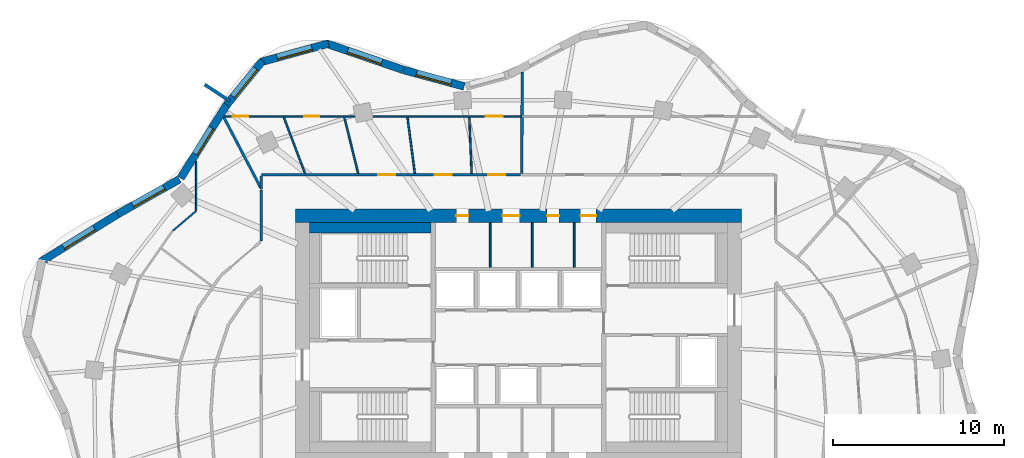
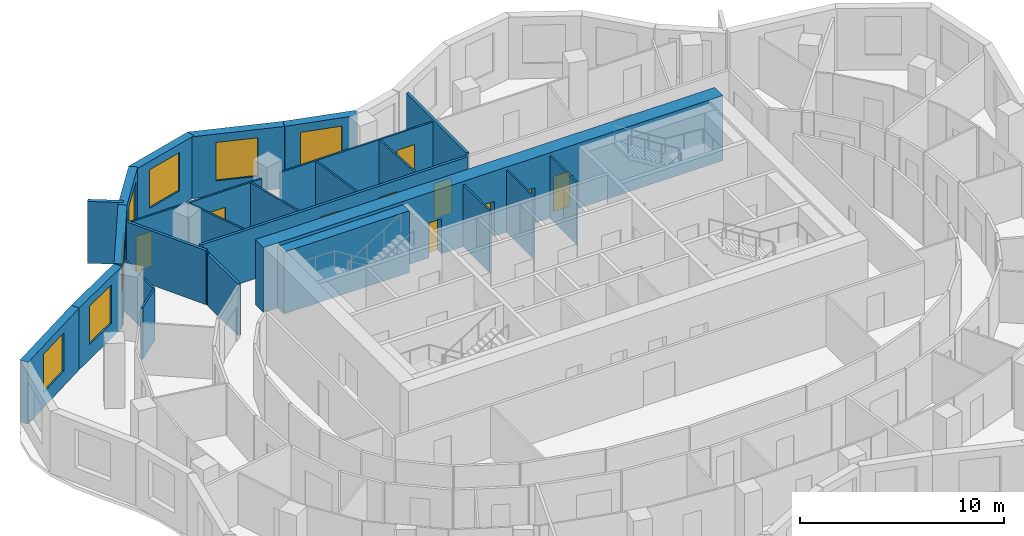
# One storey, part 8 of 11: 26 walls, 10 doors, 7 windows, 17 openings.
"""IFC4 building model written with IfcOpenShell, lengths in metres."""

from ifc_helpers import new_model, si_unit, direction, frame, frame_2d, origin, place, context, subcontext, project, spatial, rectangle, extrude, material, layer, layer_set, type_object, element, fill, save


model = new_model("IFC4")

# Units and contexts
model_context = context("Model", 3, precision=1e-05, world=origin(), true_north=direction((0.0, 1.0)))
body_context = subcontext(model_context, "Body", "Model", "MODEL_VIEW")
ifc_project = project(units=[si_unit("LENGTHUNIT", "METRE"), si_unit("AREAUNIT", "SQUARE_METRE"), si_unit("VOLUMEUNIT", "CUBIC_METRE"), si_unit("PLANEANGLEUNIT", "RADIAN"), si_unit("MASSUNIT", "GRAM", prefix="KILO")], contexts=[model_context])

# Site, building, storey
site_placement = place(None, origin())
site = spatial("IfcSite", under=ifc_project, at=site_placement, CompositionType="ELEMENT")
building_placement = place(site_placement, origin())
building = spatial("IfcBuilding", under=site, at=building_placement, Name="Rubra Terraces Tower", CompositionType="ELEMENT")
storey_placement = place(building_placement, frame((0.0, 0.0, 177.89990234375)))
storey = spatial("IfcBuildingStorey", under=building, at=storey_placement, Name="L43", CompositionType="ELEMENT", Elevation=177.89990234375)

# Wall, opening, window
ifc_material_1 = material(Name="Brick masonry red-brown", Category="masonry")
ifc_layer_1 = layer(ifc_material_1, 0.449951171875)
ifc_layer_set_1 = layer_set([ifc_layer_1], Name="Brick masonry red-brown")
wall_type_1 = type_object("IfcWallType", Name="Brick facade wall 450", PredefinedType="SOLIDWALL", material=ifc_layer_set_1)
wall_1_placement = place(storey_placement, frame((-3.164306640625, 19.147216796875, 0.0), z_axis=(0.0, 0.0, 1.0), x_axis=(-0.965039479998, 0.262104563191, 0.0)))
wall_1 = element("IfcWall", 1, at=wall_1_placement, inside=storey, type_object=wall_type_1, Name="Facade wall L43 bay 12", PredefinedType="SOLIDWALL", context=body_context, shape_type="SweptSolid", body=[
    extrude(rectangle(XDim=3.671875, YDim=0.449951171875, at=frame_2d((1.8359375, 0.0))), origin(), (0.0, 0.0, 1.0), 3.7001953125),
])
opening_1_placement = place(wall_1_placement, frame((0.785888671875, 0.0, 0.89990234375)))
opening_1 = element("IfcOpeningElement", 2, at=opening_1_placement, cuts=wall_1, Name="Opening W1B", PredefinedType="OPENING", context=body_context, shape_type="SweptSolid", body=[
    extrude(rectangle(XDim=2.10009765625, YDim=2.300048828125, at=frame_2d((1.050048828125, 1.14990234375))), frame((0.0, 0.23486328125, 0.0), z_axis=(0.0, -1.0, 0.0), x_axis=(1.0, 0.0, 0.0)), (0.0, 0.0, 1.0), 0.469970703125),
])
ifc_material_2 = material(Name="Clear glass in aluminium frame", Category="aluminium")
window_type_1 = type_object("IfcWindowType", Name="Fixed deep-set window tall storey 2100 x 2300", PartitioningType="SINGLE_PANEL", PredefinedType="WINDOW", material=ifc_material_2)
window_1_placement = place(opening_1_placement, origin())
window_1 = element("IfcWindow", 3, at=window_1_placement, inside=storey, type_object=window_type_1, Name="Window L43 bay 12", OverallHeight=2.300048828125, OverallWidth=2.10009765625, PartitioningType="SINGLE_PANEL", PredefinedType="WINDOW", context=body_context, shape_type="SweptSolid", body=[
    extrude(rectangle(XDim=2.10009765625, YDim=2.300048828125, at=frame_2d((1.050048828125, 1.14990234375))), frame((0.0, 0.135009765625, 0.0), z_axis=(0.0, -1.0, 0.0), x_axis=(1.0, 0.0, 0.0)), (0.0, 0.0, 1.0), 0.06005859375),
])
fill(opening_1, window_1)

wall_2_placement = place(storey_placement, frame((-6.722900390625, 20.114013671875, 0.0), z_axis=(0.0, 0.0, 1.0), x_axis=(-0.945947299026, 0.324320377815, 0.0)))
wall_2 = element("IfcWall", 4, at=wall_2_placement, inside=storey, type_object=wall_type_1, Name="Facade wall L43 bay 13", PredefinedType="SOLIDWALL", context=body_context, shape_type="SweptSolid", body=[
    extrude(rectangle(XDim=4.74462890625, YDim=0.449951171875, at=frame_2d((2.372314453125, 0.0))), origin(), (0.0, 0.0, 1.0), 3.7001953125),
])
opening_2_placement = place(wall_2_placement, frame((1.322265625, 0.0, 0.89990234375)))
opening_2 = element("IfcOpeningElement", 5, at=opening_2_placement, cuts=wall_2, Name="Opening W1B", PredefinedType="OPENING", context=body_context, shape_type="SweptSolid", body=[
    extrude(rectangle(XDim=2.10009765625, YDim=2.300048828125, at=frame_2d((1.050048828125, 1.14990234375))), frame((0.0, 0.23486328125, 0.0), z_axis=(0.0, -1.0, 0.0), x_axis=(1.0, 0.0, 0.0)), (0.0, 0.0, 1.0), 0.469970703125),
])
window_2_placement = place(opening_2_placement, origin())
window_2 = element("IfcWindow", 6, at=window_2_placement, inside=storey, type_object=window_type_1, Name="Window L43 bay 13", OverallHeight=2.300048828125, OverallWidth=2.10009765625, PartitioningType="SINGLE_PANEL", PredefinedType="WINDOW", context=body_context, shape_type="SweptSolid", body=[
    extrude(rectangle(XDim=2.10009765625, YDim=2.300048828125, at=frame_2d((1.050048828125, 1.14990234375))), frame((0.0, 0.135009765625, 0.0), z_axis=(0.0, -1.0, 0.0), x_axis=(1.0, 0.0, 0.0)), (0.0, 0.0, 1.0), 0.06005859375),
])
fill(opening_2, window_2)

wall_3_placement = place(storey_placement, frame((-11.08251953125, 21.64990234375, 0.0), z_axis=(0.0, 0.0, 1.0), x_axis=(-0.964483204983, -0.264144179011, 0.0)))
wall_3 = element("IfcWall", 7, at=wall_3_placement, inside=storey, type_object=wall_type_1, Name="Facade wall L43 bay 14", PredefinedType="SOLIDWALL", context=body_context, shape_type="SweptSolid", body=[
    extrude(rectangle(XDim=4.103759765625, YDim=0.449951171875, at=frame_2d((2.0517578125, 0.0))), origin(), (0.0, 0.0, 1.0), 3.7001953125),
])
opening_3_placement = place(wall_3_placement, frame((1.001953125, 0.0, 0.89990234375)))
opening_3 = element("IfcOpeningElement", 8, at=opening_3_placement, cuts=wall_3, Name="Opening W1B", PredefinedType="OPENING", context=body_context, shape_type="SweptSolid", body=[
    extrude(rectangle(XDim=2.10009765625, YDim=2.300048828125, at=frame_2d((1.050048828125, 1.14990234375))), frame((0.0, 0.23486328125, 0.0), z_axis=(0.0, -1.0, 0.0), x_axis=(1.0, 0.0, 0.0)), (0.0, 0.0, 1.0), 0.469970703125),
])
window_3_placement = place(opening_3_placement, origin())
window_3 = element("IfcWindow", 9, at=window_3_placement, inside=storey, type_object=window_type_1, Name="Window L43 bay 14", OverallHeight=2.300048828125, OverallWidth=2.10009765625, PartitioningType="SINGLE_PANEL", PredefinedType="WINDOW", context=body_context, shape_type="SweptSolid", body=[
    extrude(rectangle(XDim=2.10009765625, YDim=2.300048828125, at=frame_2d((1.050048828125, 1.14990234375))), frame((0.0, 0.135009765625, 0.0), z_axis=(0.0, -1.0, 0.0), x_axis=(1.0, 0.0, 0.0)), (0.0, 0.0, 1.0), 0.06005859375),
])
fill(opening_3, window_3)

wall_4_placement = place(storey_placement, frame((-14.925537109375, 20.640869140625, 0.0), z_axis=(0.0, 0.0, 1.0), x_axis=(-0.631548074669, -0.775336720001, 0.0)))
wall_4 = element("IfcWall", 10, at=wall_4_placement, inside=storey, type_object=wall_type_1, Name="Facade wall L43 bay 15", PredefinedType="SOLIDWALL", context=body_context, shape_type="SweptSolid", body=[
    extrude(rectangle(XDim=3.3076171875, YDim=0.449951171875, at=frame_2d((1.65380859375, 0.0))), origin(), (0.0, 0.0, 1.0), 3.7001953125),
])
opening_4_placement = place(wall_4_placement, frame((0.603759765625, 0.0, 0.89990234375)))
opening_4 = element("IfcOpeningElement", 11, at=opening_4_placement, cuts=wall_4, Name="Opening W1B", PredefinedType="OPENING", context=body_context, shape_type="SweptSolid", body=[
    extrude(rectangle(XDim=2.10009765625, YDim=2.300048828125, at=frame_2d((1.050048828125, 1.14990234375))), frame((0.0, 0.23486328125, 0.0), z_axis=(0.0, -1.0, 0.0), x_axis=(1.0, 0.0, 0.0)), (0.0, 0.0, 1.0), 0.469970703125),
])
window_4_placement = place(opening_4_placement, origin())
window_4 = element("IfcWindow", 12, at=window_4_placement, inside=storey, type_object=window_type_1, Name="Window L43 bay 15", OverallHeight=2.300048828125, OverallWidth=2.10009765625, PartitioningType="SINGLE_PANEL", PredefinedType="WINDOW", context=body_context, shape_type="SweptSolid", body=[
    extrude(rectangle(XDim=2.10009765625, YDim=2.300048828125, at=frame_2d((1.050048828125, 1.14990234375))), frame((0.0, 0.135009765625, 0.0), z_axis=(0.0, -1.0, 0.0), x_axis=(1.0, 0.0, 0.0)), (0.0, 0.0, 1.0), 0.06005859375),
])
fill(opening_4, window_4)

wall_5_placement = place(storey_placement, frame((-16.998291015625, 18.0986328125, 0.0), z_axis=(0.0, 0.0, 1.0), x_axis=(-0.532745661304, -0.846275404559, 0.0)))
wall_5 = element("IfcWall", 13, at=wall_5_placement, inside=storey, type_object=wall_type_1, Name="Facade wall L43 bay 16", PredefinedType="SOLIDWALL", context=body_context, shape_type="SweptSolid", body=[
    extrude(rectangle(XDim=5.076171875, YDim=0.449951171875, at=frame_2d((2.5380859375, 0.0))), origin(), (0.0, 0.0, 1.0), 3.7001953125),
])
opening_5_placement = place(wall_5_placement, frame((1.63818359375, 0.0, 0.89990234375)))
opening_5 = element("IfcOpeningElement", 14, at=opening_5_placement, cuts=wall_5, Name="Opening W6B", PredefinedType="OPENING", context=body_context, shape_type="SweptSolid", body=[
    extrude(rectangle(XDim=1.800048828125, YDim=2.300048828125, at=frame_2d((0.89990234375, 1.14990234375))), frame((0.0, 0.23486328125, 0.0), z_axis=(0.0, -1.0, 0.0), x_axis=(1.0, 0.0, 0.0)), (0.0, 0.0, 1.0), 0.469970703125),
])
window_type_2 = type_object("IfcWindowType", Name="Fixed deep-set window at wind fin tall storey 1800 x 2300", PartitioningType="SINGLE_PANEL", PredefinedType="WINDOW", material=ifc_material_2)
window_5_placement = place(opening_5_placement, origin())
window_5 = element("IfcWindow", 15, at=window_5_placement, inside=storey, type_object=window_type_2, Name="Window L43 bay 16", OverallHeight=2.300048828125, OverallWidth=1.800048828125, PartitioningType="SINGLE_PANEL", PredefinedType="WINDOW", context=body_context, shape_type="SweptSolid", body=[
    extrude(rectangle(XDim=1.800048828125, YDim=2.300048828125, at=frame_2d((0.89990234375, 1.14990234375))), frame((0.0, 0.135009765625, 0.0), z_axis=(0.0, -1.0, 0.0), x_axis=(1.0, 0.0, 0.0)), (0.0, 0.0, 1.0), 0.06005859375),
])
fill(opening_5, window_5)

wall_6_placement = place(storey_placement, frame((-19.77587890625, 13.730712890625, 0.0), z_axis=(0.0, 0.0, 1.0), x_axis=(-0.870610133829, -0.491973571318, 0.0)))
wall_6 = element("IfcWall", 16, at=wall_6_placement, inside=storey, type_object=wall_type_1, Name="Facade wall L43 bay 17", PredefinedType="SOLIDWALL", context=body_context, shape_type="SweptSolid", body=[
    extrude(rectangle(XDim=4.1337890625, YDim=0.449951171875, at=frame_2d((2.06689453125, 0.0))), origin(), (0.0, 0.0, 1.0), 3.7001953125),
])
opening_6_placement = place(wall_6_placement, frame((1.016845703125, 0.0, 0.89990234375)))
opening_6 = element("IfcOpeningElement", 17, at=opening_6_placement, cuts=wall_6, Name="Opening W1B", PredefinedType="OPENING", context=body_context, shape_type="SweptSolid", body=[
    extrude(rectangle(XDim=2.10009765625, YDim=2.300048828125, at=frame_2d((1.050048828125, 1.14990234375))), frame((0.0, 0.23486328125, 0.0), z_axis=(0.0, -1.0, 0.0), x_axis=(1.0, 0.0, 0.0)), (0.0, 0.0, 1.0), 0.469970703125),
])
window_6_placement = place(opening_6_placement, origin())
window_6 = element("IfcWindow", 18, at=window_6_placement, inside=storey, type_object=window_type_1, Name="Window L43 bay 17", OverallHeight=2.300048828125, OverallWidth=2.10009765625, PartitioningType="SINGLE_PANEL", PredefinedType="WINDOW", context=body_context, shape_type="SweptSolid", body=[
    extrude(rectangle(XDim=2.10009765625, YDim=2.300048828125, at=frame_2d((1.050048828125, 1.14990234375))), frame((0.0, 0.135009765625, 0.0), z_axis=(0.0, -1.0, 0.0), x_axis=(1.0, 0.0, 0.0)), (0.0, 0.0, 1.0), 0.06005859375),
])
fill(opening_6, window_6)

wall_7_placement = place(storey_placement, frame((-23.368408203125, 11.700927734375, 0.0), z_axis=(0.0, 0.0, 1.0), x_axis=(-0.850251408633, -0.526376806211, 0.0)))
wall_7 = element("IfcWall", 19, at=wall_7_placement, inside=storey, type_object=wall_type_1, Name="Facade wall L43 bay 18", PredefinedType="SOLIDWALL", context=body_context, shape_type="SweptSolid", body=[
    extrude(rectangle(XDim=5.30224609375, YDim=0.449951171875, at=frame_2d((2.651123046875, 0.0))), origin(), (0.0, 0.0, 1.0), 3.7001953125),
])
opening_7_placement = place(wall_7_placement, frame((1.601318359375, 0.0, 0.89990234375)))
opening_7 = element("IfcOpeningElement", 20, at=opening_7_placement, cuts=wall_7, Name="Opening W1B", PredefinedType="OPENING", context=body_context, shape_type="SweptSolid", body=[
    extrude(rectangle(XDim=2.10009765625, YDim=2.300048828125, at=frame_2d((1.050048828125, 1.14990234375))), frame((0.0, 0.23486328125, 0.0), z_axis=(0.0, -1.0, 0.0), x_axis=(1.0, 0.0, 0.0)), (0.0, 0.0, 1.0), 0.469970703125),
])
window_7_placement = place(opening_7_placement, origin())
window_7 = element("IfcWindow", 21, at=window_7_placement, inside=storey, type_object=window_type_1, Name="Window L43 bay 18", OverallHeight=2.300048828125, OverallWidth=2.10009765625, PartitioningType="SINGLE_PANEL", PredefinedType="WINDOW", context=body_context, shape_type="SweptSolid", body=[
    extrude(rectangle(XDim=2.10009765625, YDim=2.300048828125, at=frame_2d((1.050048828125, 1.14990234375))), frame((0.0, 0.135009765625, 0.0), z_axis=(0.0, -1.0, 0.0), x_axis=(1.0, 0.0, 0.0)), (0.0, 0.0, 1.0), 0.06005859375),
])
fill(opening_7, window_7)

# Wall
ifc_layer_2 = layer(ifc_material_1, 0.199951171875)
ifc_layer_set_2 = layer_set([ifc_layer_2], Name="Brick masonry red-brown")
wall_type_2 = type_object("IfcWallType", Name="Brick wind fin 200", PredefinedType="SOLIDWALL", material=ifc_layer_set_2)
wall_8_placement = place(storey_placement, frame((-16.837890625, 18.298095703125, 0.0), z_axis=(0.0, 0.0, 1.0), x_axis=(-0.835871900419, 0.548924554097, 0.0)))
element("IfcWall", 22, at=wall_8_placement, inside=storey, type_object=wall_type_2, Name="Wind fin L43 9", PredefinedType="SOLIDWALL", context=body_context, shape_type="SweptSolid", body=[
    extrude(rectangle(XDim=1.750244140625, YDim=0.199951171875, at=frame_2d((0.875, 0.0))), origin(), (0.0, 0.0, 1.0), 3.7001953125),
])

# Wall, openings, doors
ifc_material_3 = material(Name="Concrete C50", Category="concrete")
ifc_layer_3 = layer(ifc_material_3, 0.800048828125)
ifc_layer_set_3 = layer_set([ifc_layer_3], Name="Concrete C50")
wall_type_3 = type_object("IfcWallType", Name="CORE WALL 800 C50", PredefinedType="SHEAR", material=ifc_layer_set_3)
wall_9_placement = place(storey_placement, frame((-13.0, 11.60009765625, 0.0), z_axis=(0.0, 0.0, 1.0), x_axis=(1.0, 0.0, 0.0)))
wall_9 = element("IfcWall", 23, at=wall_9_placement, inside=storey, type_object=wall_type_3, Name="CORE WALL N L43", PredefinedType="SHEAR", context=body_context, shape_type="SweptSolid", body=[
    extrude(rectangle(XDim=26.0, YDim=0.800048828125, at=frame_2d((13.0, 0.0))), origin(), (0.0, 0.0, 1.0), 3.900146484375),
])
opening_8_placement = place(wall_9_placement, frame((9.375, 0.0, 0.0)))
opening_8 = element("IfcOpeningElement", 24, at=opening_8_placement, cuts=wall_9, Name="Opening L43.C25", PredefinedType="OPENING", context=body_context, shape_type="SweptSolid", body=[
    extrude(rectangle(XDim=0.699951171875, YDim=2.10009765625, at=frame_2d((0.35009765625, 1.050048828125))), frame((0.0, 0.409912109375, 0.0), z_axis=(0.0, -1.0, 0.0), x_axis=(1.0, 0.0, 0.0)), (0.0, 0.0, 1.0), 0.820068359375),
])
opening_9_placement = place(wall_9_placement, frame((12.074951171875, 0.0, 0.0)))
opening_9 = element("IfcOpeningElement", 25, at=opening_9_placement, cuts=wall_9, Name="Opening L43.C26", PredefinedType="OPENING", context=body_context, shape_type="SweptSolid", body=[
    extrude(rectangle(XDim=1.0, YDim=2.10009765625, at=frame_2d((0.5, 1.050048828125))), frame((0.0, 0.409912109375, 0.0), z_axis=(0.0, -1.0, 0.0), x_axis=(1.0, 0.0, 0.0)), (0.0, 0.0, 1.0), 0.820068359375),
])
opening_10_placement = place(wall_9_placement, frame((14.675048828125, 0.0, 0.0)))
opening_10 = element("IfcOpeningElement", 26, at=opening_10_placement, cuts=wall_9, Name="Opening L43.C27", PredefinedType="OPENING", context=body_context, shape_type="SweptSolid", body=[
    extrude(rectangle(XDim=0.699951171875, YDim=2.10009765625, at=frame_2d((0.35009765625, 1.050048828125))), frame((0.0, 0.409912109375, 0.0), z_axis=(0.0, -1.0, 0.0), x_axis=(1.0, 0.0, 0.0)), (0.0, 0.0, 1.0), 0.820068359375),
])
opening_11_placement = place(wall_9_placement, frame((16.625, 0.0, 0.0)))
opening_11 = element("IfcOpeningElement", 27, at=opening_11_placement, cuts=wall_9, Name="Opening L43.C28", PredefinedType="OPENING", context=body_context, shape_type="SweptSolid", body=[
    extrude(rectangle(XDim=0.89990234375, YDim=2.10009765625, at=frame_2d((0.449951171875, 1.050048828125))), frame((0.0, 0.409912109375, 0.0), z_axis=(0.0, -1.0, 0.0), x_axis=(1.0, 0.0, 0.0)), (0.0, 0.0, 1.0), 0.820068359375),
])
ifc_material_4 = material(Name="Painted steel", Category="steel")
door_type_1 = type_object("IfcDoorType", Name="Fire door 1000x2100 single", OperationType="NOTDEFINED", PredefinedType="DOOR", material=ifc_material_4)
door_1_placement = place(opening_9_placement, origin())
door_1 = element("IfcDoor", 28, at=door_1_placement, inside=storey, type_object=door_type_1, Name="General store door", OperationType="SINGLE_SWING_RIGHT", OverallHeight=2.10009765625, OverallWidth=1.0, PredefinedType="DOOR", context=body_context, shape_type="SweptSolid", body=[
    extrude(rectangle(XDim=1.0, YDim=2.10009765625, at=frame_2d((0.5, 1.050048828125))), frame((0.0, 0.02490234375, 0.0), z_axis=(0.0, -1.0, 0.0), x_axis=(1.0, 0.0, 0.0)), (0.0, 0.0, 1.0), 0.050048828125),
])
fill(opening_9, door_1)
door_type_2 = type_object("IfcDoorType", Name="Fire door 900x2100 single", OperationType="NOTDEFINED", PredefinedType="DOOR", material=ifc_material_4)
door_2_placement = place(opening_11_placement, origin())
door_2 = element("IfcDoor", 29, at=door_2_placement, inside=storey, type_object=door_type_2, Name="Cleaner's store door", OperationType="SINGLE_SWING_RIGHT", OverallHeight=2.10009765625, OverallWidth=0.89990234375, PredefinedType="DOOR", context=body_context, shape_type="SweptSolid", body=[
    extrude(rectangle(XDim=0.89990234375, YDim=2.10009765625, at=frame_2d((0.449951171875, 1.050048828125))), frame((0.0, 0.02490234375, 0.0), z_axis=(0.0, -1.0, 0.0), x_axis=(1.0, 0.0, 0.0)), (0.0, 0.0, 1.0), 0.050048828125),
])
fill(opening_11, door_2)
door_type_3 = type_object("IfcDoorType", Name="Riser access door 700x2100 single", OperationType="NOTDEFINED", PredefinedType="DOOR", material=ifc_material_4)
door_3_placement = place(opening_8_placement, origin())
door_3 = element("IfcDoor", 30, at=door_3_placement, inside=storey, type_object=door_type_3, Name="Telecoms room door", OperationType="SINGLE_SWING_LEFT", OverallHeight=2.10009765625, OverallWidth=0.699951171875, PredefinedType="DOOR", context=body_context, shape_type="SweptSolid", body=[
    extrude(rectangle(XDim=0.699951171875, YDim=2.10009765625, at=frame_2d((0.35009765625, 1.050048828125))), frame((0.0, 0.02490234375, 0.0), z_axis=(0.0, -1.0, 0.0), x_axis=(1.0, 0.0, 0.0)), (0.0, 0.0, 1.0), 0.050048828125),
])
fill(opening_8, door_3)
door_4_placement = place(opening_10_placement, origin())
door_4 = element("IfcDoor", 31, at=door_4_placement, inside=storey, type_object=door_type_3, Name="Electrical riser room door", OperationType="SINGLE_SWING_LEFT", OverallHeight=2.10009765625, OverallWidth=0.699951171875, PredefinedType="DOOR", context=body_context, shape_type="SweptSolid", body=[
    extrude(rectangle(XDim=0.699951171875, YDim=2.10009765625, at=frame_2d((0.35009765625, 1.050048828125))), frame((0.0, 0.02490234375, 0.0), z_axis=(0.0, -1.0, 0.0), x_axis=(1.0, 0.0, 0.0)), (0.0, 0.0, 1.0), 0.050048828125),
])
fill(opening_10, door_4)

ifc_material_5 = material(Name="Plasterboard on steel stud, mineral wool infill", Category="steel")
ifc_layer_4 = layer(ifc_material_5, 0.14990234375)
ifc_layer_set_4 = layer_set([ifc_layer_4], Name="Plasterboard on steel stud, mineral wool infill")
wall_type_4 = type_object("IfcWallType", Name="CORRIDOR PARTITION 150", PredefinedType="PARTITIONING", material=ifc_layer_set_4)
wall_10_placement = place(storey_placement, frame((0.125244140625, 14.0, 0.0), z_axis=(0.0, 0.0, 1.0), x_axis=(-1.0, 0.0, 0.0)))
wall_10 = element("IfcWall", 32, at=wall_10_placement, inside=storey, type_object=wall_type_4, Name="PARTITION", PredefinedType="PARTITIONING", context=body_context, shape_type="SweptSolid", body=[
    extrude(rectangle(XDim=15.125244140625, YDim=0.14990234375, at=frame_2d((7.5625, 0.0))), origin(), (0.0, 0.0, 1.0), 3.083984375),
])
opening_12_placement = place(wall_10_placement, frame((0.887939453125, 0.0, 0.0)))
opening_12 = element("IfcOpeningElement", 33, at=opening_12_placement, cuts=wall_10, Name="Opening 43-104", PredefinedType="OPENING", context=body_context, shape_type="SweptSolid", body=[
    extrude(rectangle(XDim=1.0, YDim=2.10009765625, at=frame_2d((0.5, 1.050048828125))), frame((0.0, 0.0849609375, 0.0), z_axis=(0.0, -1.0, 0.0), x_axis=(1.0, 0.0, 0.0)), (0.0, 0.0, 1.0), 0.169921875),
])
opening_13_placement = place(wall_10_placement, frame((4.0048828125, 0.0, 0.0)))
opening_13 = element("IfcOpeningElement", 34, at=opening_13_placement, cuts=wall_10, Name="Opening 43-106", PredefinedType="OPENING", context=body_context, shape_type="SweptSolid", body=[
    extrude(rectangle(XDim=1.0, YDim=2.39990234375, at=frame_2d((0.5, 1.199951171875))), frame((0.0, 0.0849609375, 0.0), z_axis=(0.0, -1.0, 0.0), x_axis=(1.0, 0.0, 0.0)), (0.0, 0.0, 1.0), 0.169921875),
])
opening_14_placement = place(wall_10_placement, frame((7.306884765625, 0.0, 0.0)))
opening_14 = element("IfcOpeningElement", 35, at=opening_14_placement, cuts=wall_10, Name="Opening 43-107", PredefinedType="OPENING", context=body_context, shape_type="SweptSolid", body=[
    extrude(rectangle(XDim=1.0, YDim=2.39990234375, at=frame_2d((0.5, 1.199951171875))), frame((0.0, 0.0849609375, 0.0), z_axis=(0.0, -1.0, 0.0), x_axis=(1.0, 0.0, 0.0)), (0.0, 0.0, 1.0), 0.169921875),
])
ifc_material_6 = material(Name="Glazed aluminium meeting door leaf", Category="aluminium")
door_type_4 = type_object("IfcDoorType", Name="MEETING ROOM GLAZED DOOR 1000 X 2400", OperationType="SINGLE_SWING_LEFT", PredefinedType="DOOR", material=ifc_material_6)
door_5_placement = place(opening_13_placement, origin())
door_5 = element("IfcDoor", 36, at=door_5_placement, inside=storey, type_object=door_type_4, Name="DOOR 43-106", OperationType="SINGLE_SWING_RIGHT", OverallHeight=2.39990234375, OverallWidth=1.0, PredefinedType="DOOR", context=body_context, shape_type="SweptSolid", body=[
    extrude(rectangle(XDim=1.0, YDim=2.39990234375, at=frame_2d((0.5, 1.199951171875))), frame((0.0, 0.02490234375, 0.0), z_axis=(0.0, -1.0, 0.0), x_axis=(1.0, 0.0, 0.0)), (0.0, 0.0, 1.0), 0.050048828125),
])
fill(opening_13, door_5)
door_6_placement = place(opening_14_placement, origin())
door_6 = element("IfcDoor", 37, at=door_6_placement, inside=storey, type_object=door_type_4, Name="DOOR 43-107", OperationType="SINGLE_SWING_RIGHT", OverallHeight=2.39990234375, OverallWidth=1.0, PredefinedType="DOOR", context=body_context, shape_type="SweptSolid", body=[
    extrude(rectangle(XDim=1.0, YDim=2.39990234375, at=frame_2d((0.5, 1.199951171875))), frame((0.0, 0.02490234375, 0.0), z_axis=(0.0, -1.0, 0.0), x_axis=(1.0, 0.0, 0.0)), (0.0, 0.0, 1.0), 0.050048828125),
])
fill(opening_14, door_6)
ifc_material_7 = material(Name="Painted timber door leaf", Category="wood")
door_type_5 = type_object("IfcDoorType", Name="ROOM DOOR 1000 X 2100", OperationType="SINGLE_SWING_LEFT", PredefinedType="DOOR", material=ifc_material_7)
door_7_placement = place(opening_12_placement, origin())
door_7 = element("IfcDoor", 38, at=door_7_placement, inside=storey, type_object=door_type_5, Name="DOOR 43-104", OperationType="SINGLE_SWING_RIGHT", OverallHeight=2.10009765625, OverallWidth=1.0, PredefinedType="DOOR", context=body_context, shape_type="SweptSolid", body=[
    extrude(rectangle(XDim=1.0, YDim=2.10009765625, at=frame_2d((0.5, 1.050048828125))), frame((0.0, 0.02490234375, 0.0), z_axis=(0.0, -1.0, 0.0), x_axis=(1.0, 0.0, 0.0)), (0.0, 0.0, 1.0), 0.050048828125),
])
fill(opening_12, door_7)

# Walls
wall_11_placement = place(storey_placement, frame((-15.0, 13.925048828125, 0.0), z_axis=(0.0, 0.0, 1.0), x_axis=(0.0, -1.0, 0.0)))
element("IfcWall", 39, at=wall_11_placement, inside=storey, type_object=wall_type_4, Name="PARTITION", PredefinedType="PARTITIONING", context=body_context, shape_type="SweptSolid", body=[
    extrude(rectangle(XDim=0.75146484375, YDim=0.14990234375, at=frame_2d((0.375732421875, 0.0))), origin(), (0.0, 0.0, 1.0), 3.083984375),
])
wall_12_placement = place(storey_placement, frame((-15.0, 13.0986328125, 0.0), z_axis=(0.0, 0.0, 1.0), x_axis=(0.0, -1.0, 0.0)))
element("IfcWall", 40, at=wall_12_placement, inside=storey, type_object=wall_type_4, Name="PARTITION", PredefinedType="PARTITIONING", context=body_context, shape_type="SweptSolid", body=[
    extrude(rectangle(XDim=2.97705078125, YDim=0.14990234375, at=frame_2d((1.488525390625, 0.0))), origin(), (0.0, 0.0, 1.0), 3.083984375),
])
ifc_material_8 = material(Name="Concrete C40", Category="concrete")
ifc_layer_5 = layer(ifc_material_8, 0.60009765625)
ifc_layer_set_5 = layer_set([ifc_layer_5], Name="Concrete C40")
wall_type_5 = type_object("IfcWallType", Name="Core lining wall 600 concrete", PredefinedType="SOLIDWALL", material=ifc_layer_set_5)
wall_13_placement = place(storey_placement, frame((-12.199951171875, 10.89990234375, 0.0), z_axis=(0.0, 0.0, 1.0), x_axis=(1.0, 0.0, 0.0)))
element("IfcWall", 41, at=wall_13_placement, inside=storey, type_object=wall_type_5, Name="CORE LINING WALL L43", PredefinedType="SOLIDWALL", context=body_context, shape_type="SweptSolid", body=[
    extrude(rectangle(XDim=7.099853515625, YDim=0.60009765625, at=frame_2d((3.5498046875, 0.0))), origin(), (0.0, 0.0, 1.0), 3.7001953125),
])

# Wall, openings, doors
ifc_material_9 = material(Name="Plasterboard on steel stud", Category="steel")
ifc_layer_6 = layer(ifc_material_9, 0.10009765625)
ifc_layer_set_6 = layer_set([ifc_layer_6], Name="Plasterboard on steel stud")
wall_type_6 = type_object("IfcWallType", Name="ROOM PARTITION 100", PredefinedType="PARTITIONING", material=ifc_layer_set_6)
wall_14_placement = place(storey_placement, frame((-17.148681640625, 17.39990234375, 0.0), z_axis=(0.0, 0.0, 1.0), x_axis=(1.0, 0.0, 0.0)))
wall_14 = element("IfcWall", 42, at=wall_14_placement, inside=storey, type_object=wall_type_6, Name="PARTITION", PredefinedType="PARTITIONING", context=body_context, shape_type="SweptSolid", body=[
    extrude(rectangle(XDim=7.602294921875, YDim=0.10009765625, at=frame_2d((3.80126953125, 0.0))), origin(), (0.0, 0.0, 1.0), 3.083984375),
])
opening_15_placement = place(wall_14_placement, frame((4.64306640625, 0.0, 0.0)))
opening_15 = element("IfcOpeningElement", 43, at=opening_15_placement, cuts=wall_14, Name="Opening 43-108", PredefinedType="OPENING", context=body_context, shape_type="SweptSolid", body=[
    extrude(rectangle(XDim=0.89990234375, YDim=2.10009765625, at=frame_2d((0.449951171875, 1.050048828125))), frame((0.0, 0.06005859375, 0.0), z_axis=(0.0, -1.0, 0.0), x_axis=(1.0, 0.0, 0.0)), (0.0, 0.0, 1.0), 0.1201171875),
])
opening_16_placement = place(wall_14_placement, frame((0.5, 0.0, 0.0)))
opening_16 = element("IfcOpeningElement", 44, at=opening_16_placement, cuts=wall_14, Name="Opening 43-109", PredefinedType="OPENING", context=body_context, shape_type="SweptSolid", body=[
    extrude(rectangle(XDim=0.89990234375, YDim=2.10009765625, at=frame_2d((0.449951171875, 1.050048828125))), frame((0.0, 0.06005859375, 0.0), z_axis=(0.0, -1.0, 0.0), x_axis=(1.0, 0.0, 0.0)), (0.0, 0.0, 1.0), 0.1201171875),
])
door_type_6 = type_object("IfcDoorType", Name="ROOM DOOR 900 X 2100", OperationType="SINGLE_SWING_LEFT", PredefinedType="DOOR", material=ifc_material_7)
door_8_placement = place(opening_15_placement, origin())
door_8 = element("IfcDoor", 45, at=door_8_placement, inside=storey, type_object=door_type_6, Name="DOOR 43-108", OperationType="SINGLE_SWING_LEFT", OverallHeight=2.10009765625, OverallWidth=0.89990234375, PredefinedType="DOOR", context=body_context, shape_type="SweptSolid", body=[
    extrude(rectangle(XDim=0.89990234375, YDim=2.10009765625, at=frame_2d((0.449951171875, 1.050048828125))), frame((0.0, 0.02490234375, 0.0), z_axis=(0.0, -1.0, 0.0), x_axis=(1.0, 0.0, 0.0)), (0.0, 0.0, 1.0), 0.050048828125),
])
fill(opening_15, door_8)
door_9_placement = place(opening_16_placement, origin())
door_9 = element("IfcDoor", 46, at=door_9_placement, inside=storey, type_object=door_type_6, Name="DOOR 43-109", OperationType="SINGLE_SWING_LEFT", OverallHeight=2.10009765625, OverallWidth=0.89990234375, PredefinedType="DOOR", context=body_context, shape_type="SweptSolid", body=[
    extrude(rectangle(XDim=0.89990234375, YDim=2.10009765625, at=frame_2d((0.449951171875, 1.050048828125))), frame((0.0, 0.02490234375, 0.0), z_axis=(0.0, -1.0, 0.0), x_axis=(1.0, 0.0, 0.0)), (0.0, 0.0, 1.0), 0.050048828125),
])
fill(opening_16, door_9)

# Wall, opening, door
wall_15_placement = place(storey_placement, frame((-8.482666015625, 17.39990234375, 0.0), z_axis=(0.0, 0.0, 1.0), x_axis=(1.0, 0.0, 0.0)))
wall_15 = element("IfcWall", 47, at=wall_15_placement, inside=storey, type_object=wall_type_6, Name="PARTITION", PredefinedType="PARTITIONING", context=body_context, shape_type="SweptSolid", body=[
    extrude(rectangle(XDim=8.6708984375, YDim=0.10009765625, at=frame_2d((4.33544921875, 0.0))), origin(), (0.0, 0.0, 1.0), 3.083984375),
])
opening_17_placement = place(wall_15_placement, frame((6.58203125, 0.0, 0.0)))
opening_17 = element("IfcOpeningElement", 48, at=opening_17_placement, cuts=wall_15, Name="Opening 43-105", PredefinedType="OPENING", context=body_context, shape_type="SweptSolid", body=[
    extrude(rectangle(XDim=1.0, YDim=2.10009765625, at=frame_2d((0.5, 1.050048828125))), frame((0.0, 0.06005859375, 0.0), z_axis=(0.0, -1.0, 0.0), x_axis=(1.0, 0.0, 0.0)), (0.0, 0.0, 1.0), 0.1201171875),
])
door_10_placement = place(opening_17_placement, origin())
door_10 = element("IfcDoor", 49, at=door_10_placement, inside=storey, type_object=door_type_5, Name="DOOR 43-105", OperationType="SINGLE_SWING_LEFT", OverallHeight=2.10009765625, OverallWidth=1.0, PredefinedType="DOOR", context=body_context, shape_type="SweptSolid", body=[
    extrude(rectangle(XDim=1.0, YDim=2.10009765625, at=frame_2d((0.5, 1.050048828125))), frame((0.0, 0.02490234375, 0.0), z_axis=(0.0, -1.0, 0.0), x_axis=(1.0, 0.0, 0.0)), (0.0, 0.0, 1.0), 0.050048828125),
])
fill(opening_17, door_10)

# Walls
wall_16_placement = place(storey_placement, frame((-2.728515625, 14.074951171875, 0.0), z_axis=(0.0, 0.0, 1.0), x_axis=(-0.042005382394, 0.99911738442, 0.0)))
element("IfcWall", 50, at=wall_16_placement, inside=storey, type_object=wall_type_6, Name="PARTITION", PredefinedType="PARTITIONING", context=body_context, shape_type="SweptSolid", body=[
    extrude(rectangle(XDim=3.278076171875, YDim=0.10009765625, at=frame_2d((1.63916015625, 0.0))), origin(), (0.0, 0.0, 1.0), 3.083984375),
])
wall_17_placement = place(storey_placement, frame((-6.043212890625, 14.074462890625, 0.0), z_axis=(0.0, 0.0, 1.0), x_axis=(-0.12990779889, 0.991526078219, 0.0)))
element("IfcWall", 51, at=wall_17_placement, inside=storey, type_object=wall_type_6, Name="PARTITION", PredefinedType="PARTITIONING", context=body_context, shape_type="SweptSolid", body=[
    extrude(rectangle(XDim=3.303955078125, YDim=0.10009765625, at=frame_2d((1.65185546875, 0.0))), origin(), (0.0, 0.0, 1.0), 3.083984375),
])
wall_18_placement = place(storey_placement, frame((-9.347412109375, 14.07275390625, 0.0), z_axis=(0.0, 0.0, 1.0), x_axis=(-0.239847329474, 0.970810619299, 0.0)))
element("IfcWall", 52, at=wall_18_placement, inside=storey, type_object=wall_type_6, Name="PARTITION", PredefinedType="PARTITIONING", context=body_context, shape_type="SweptSolid", body=[
    extrude(rectangle(XDim=3.37744140625, YDim=0.10009765625, at=frame_2d((1.688720703125, 0.0))), origin(), (0.0, 0.0, 1.0), 3.083984375),
])
wall_19_placement = place(storey_placement, frame((-12.447021484375, 14.070068359375, 0.0), z_axis=(0.0, 0.0, 1.0), x_axis=(-0.354534757725, 0.935042836219, 0.0)))
element("IfcWall", 53, at=wall_19_placement, inside=storey, type_object=wall_type_6, Name="PARTITION", PredefinedType="PARTITIONING", context=body_context, shape_type="SweptSolid", body=[
    extrude(rectangle(XDim=3.51123046875, YDim=0.10009765625, at=frame_2d((1.755615234375, 0.0))), origin(), (0.0, 0.0, 1.0), 3.083984375),
])
wall_20_placement = place(storey_placement, frame((-20.1513671875, 10.733642578125, 0.0), z_axis=(0.0, 0.0, 1.0), x_axis=(0.762465888028, 0.647028414827, 0.0)))
element("IfcWall", 54, at=wall_20_placement, inside=storey, type_object=wall_type_6, Name="PARTITION", PredefinedType="PARTITIONING", context=body_context, shape_type="SweptSolid", body=[
    extrude(rectangle(XDim=1.772216796875, YDim=0.10009765625, at=frame_2d((0.88623046875, 0.0))), origin(), (0.0, 0.0, 1.0), 3.083984375),
])
wall_21_placement = place(storey_placement, frame((-18.800048828125, 11.930419921875, 0.0), z_axis=(0.0, 0.0, 1.0), x_axis=(0.0, 1.0, 0.0)))
element("IfcWall", 55, at=wall_21_placement, inside=storey, type_object=wall_type_6, Name="PARTITION", PredefinedType="PARTITIONING", context=body_context, shape_type="SweptSolid", body=[
    extrude(rectangle(XDim=2.846435546875, YDim=0.10009765625, at=frame_2d((1.42333984375, 0.0))), origin(), (0.0, 0.0, 1.0), 3.083984375),
])
ifc_layer_7 = layer(ifc_material_9, 0.14990234375)
ifc_layer_set_7 = layer_set([ifc_layer_7], Name="Plasterboard on steel stud")
wall_type_7 = type_object("IfcWallType", Name="ROOM PARTITION 150", PredefinedType="PARTITIONING", material=ifc_layer_set_7)
wall_22_placement = place(storey_placement, frame((0.21435546875, 19.978759765625, 0.0), z_axis=(0.0, 0.0, 1.0), x_axis=(-0.002357118586, -0.999997221992, 0.0)))
element("IfcWall", 56, at=wall_22_placement, inside=storey, type_object=wall_type_7, Name="PARTITION", PredefinedType="PARTITIONING", context=body_context, shape_type="SweptSolid", body=[
    extrude(rectangle(XDim=5.90380859375, YDim=0.14990234375, at=frame_2d((2.951904296875, 0.0))), origin(), (0.0, 0.0, 1.0), 3.234130859375),
])
wall_23_placement = place(storey_placement, frame((-17.19287109375, 17.35986328125, 0.0), z_axis=(0.0, 0.0, 1.0), x_axis=(0.463995225493, -0.885837699988, 0.0)))
element("IfcWall", 57, at=wall_23_placement, inside=storey, type_object=wall_type_7, Name="PARTITION", PredefinedType="PARTITIONING", context=body_context, shape_type="SweptSolid", body=[
    extrude(rectangle(XDim=4.65087890625, YDim=0.14990234375, at=frame_2d((2.325439453125, 0.0))), origin(), (0.0, 0.0, 1.0), 3.234130859375),
])
ifc_material_10 = material(Name="Blockwork", Category="masonry")
ifc_layer_8 = layer(ifc_material_10, 0.10009765625)
ifc_layer_set_8 = layer_set([ifc_layer_8], Name="Blockwork")
wall_type_8 = type_object("IfcWallType", Name="Service partition 100 blockwork", PredefinedType="PARTITIONING", material=ifc_layer_set_8)
for number, where, z_axis, x_axis, name in (
    (58, (-1.64990234375, 8.60009765625, 0.0), (0.0, 0.0, 1.0), (0.0, 1.0, 0.0), "SERVICE ROOM PARTITION L43"),
    (59, (0.800048828125, 8.60009765625, 0.0), (0.0, 0.0, 1.0), (0.0, 1.0, 0.0), "SERVICE ROOM PARTITION L43"),
    (60, (3.25, 8.60009765625, 0.0), (0.0, 0.0, 1.0), (0.0, 1.0, 0.0), "SERVICE ROOM PARTITION L43"),
):
    element("IfcWall", number, at=place(storey_placement, frame(where, z_axis=z_axis, x_axis=x_axis)), inside=storey, type_object=wall_type_8, Name=name, PredefinedType="PARTITIONING", context=body_context, shape_type="SweptSolid", body=[
        extrude(rectangle(XDim=2.599853515625, YDim=0.10009765625, at=frame_2d((1.2998046875, 0.0))), origin(), (0.0, 0.0, 1.0), 3.7001953125),
    ])

save(model, "model.ifc")
